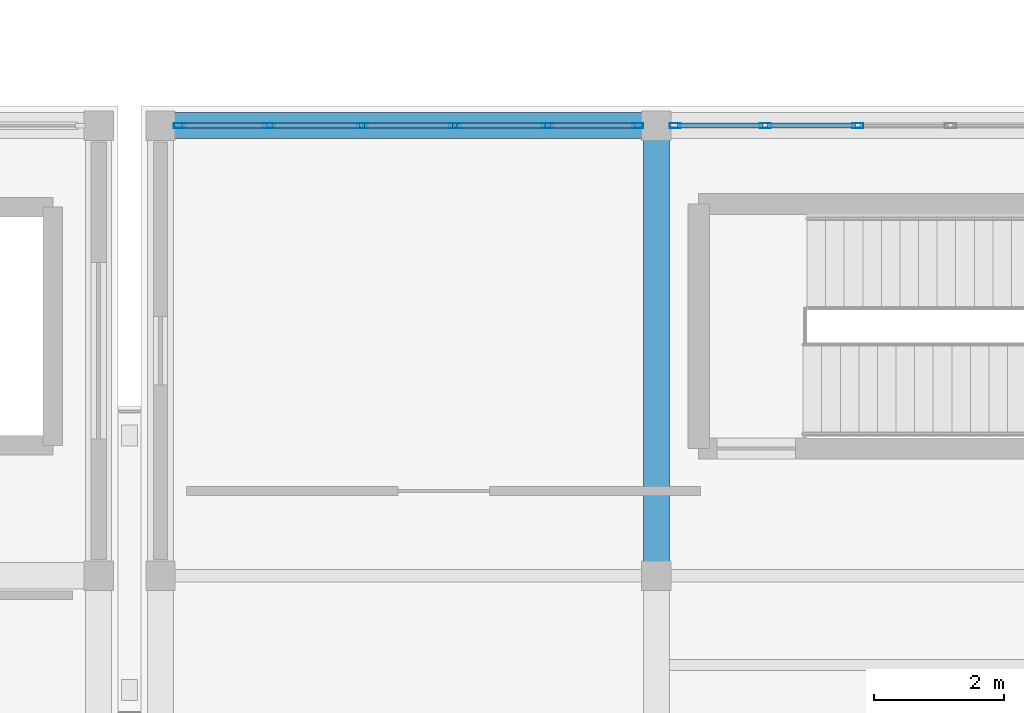
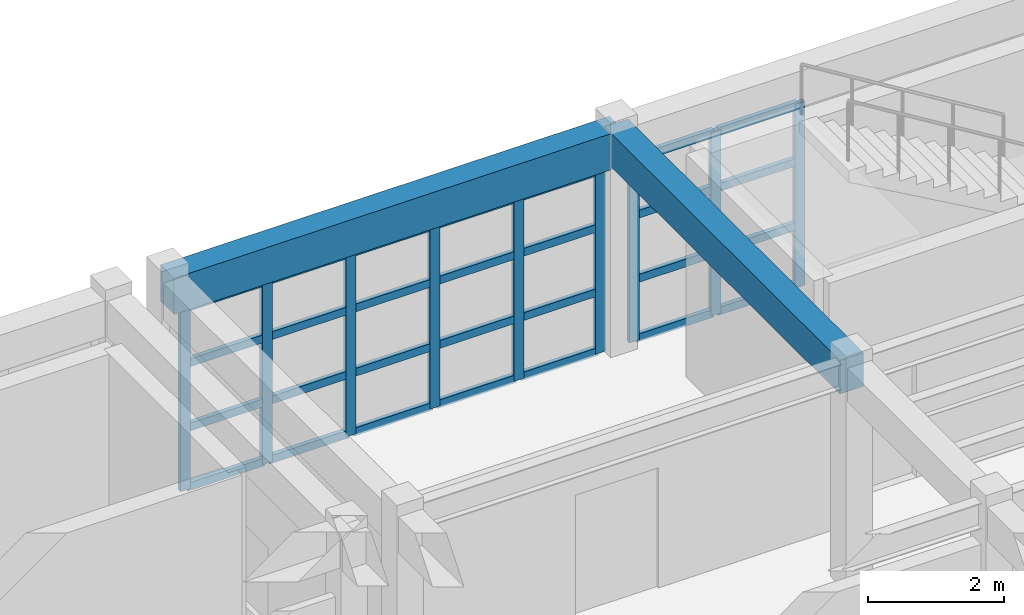
# One storey, part 9 of 66: 37 members, 2 beams, 2 elements without a shape of their own.
"""IFC4 building model written with IfcOpenShell, lengths in metres."""

from ifc_helpers import new_model, si_unit, direction, frame, origin, origin_2d, place, context, subcontext, project, spatial, rectangle, hollow_rectangle, extrude, material, layer, layer_set, material_profile, profile_set, type_object, element, aggregate, save


model = new_model("IFC4")

# Units and contexts
model_context = context("Model", 3, precision=1e-05, world=origin(), true_north=direction((0.0, 1.0)))
body_context = subcontext(model_context, "Body", "Model", "MODEL_VIEW")
ifc_project = project(units=[si_unit("LENGTHUNIT", "METRE"), si_unit("AREAUNIT", "SQUARE_METRE"), si_unit("VOLUMEUNIT", "CUBIC_METRE"), si_unit("PLANEANGLEUNIT", "RADIAN"), si_unit("MASSUNIT", "GRAM", prefix="KILO")], contexts=[model_context])

# Site, building, storey
site_placement = place(None, origin())
site = spatial("IfcSite", under=ifc_project, at=site_placement, CompositionType="ELEMENT")
building_placement = place(site_placement, origin())
building = spatial("IfcBuilding", under=site, at=building_placement, Name="Candilejo Ridge Gondola Terminal", CompositionType="ELEMENT")
storey_placement = place(building_placement, frame((0.0, 0.0, 14.39990234375)))
storey = spatial("IfcBuildingStorey", under=building, at=storey_placement, Name="L03", CompositionType="ELEMENT", Elevation=14.39990234375)

# Curtain wall, members
ifc_material_1 = material(Name="Anodised aluminium AA 6063-T6", Category="aluminium")
ifc_layer = layer(ifc_material_1, 0.169921875)
ifc_layer_set = layer_set([ifc_layer], Name="ARC-CW-GALLERY-3200-710X329")
curtain_wall_type = type_object("IfcCurtainWallType", Name="ARC-CW-GALLERY-3200-710X329", PredefinedType="NOTDEFINED", material=ifc_layer_set)
curtain_wall_1_placement = place(storey_placement, origin())
curtain_wall_1 = element("IfcCurtainWall", 1, at=curtain_wall_1_placement, inside=storey, type_object=curtain_wall_type, Name="Curtain wall V3 L03-094", PredefinedType="NOTDEFINED")
ifc_material_2 = material(Name="Anodised aluminium AA 6063-T6", Category="aluminium")
ifc_material_profile_1 = material_profile(ifc_material_2, hollow_rectangle(XDim=0.074951171875, YDim=0.169921875, WallThickness=0.00390625, at=origin_2d()))
ifc_profile_set_1 = profile_set([ifc_material_profile_1], Name="Anodised aluminium AA 6063-T6")
member_type_1 = type_object("IfcMemberType", Name="ARC-CW-MULLION", PredefinedType="MULLION", material=ifc_profile_set_1)
member_1_placement = place(storey_placement, frame((87.28759765625, 36.699951171875, 0.0), z_axis=(0.0, 0.0, 1.0), x_axis=(0.0, 1.0, 0.0)))
member_1 = element("IfcMember", 2, at=member_1_placement, type_object=member_type_1, Name="CW-71X32 mullion 1", PredefinedType="MULLION", context=body_context, shape_type="SweptSolid", body=[
    extrude(hollow_rectangle(XDim=0.074951171875, YDim=0.169921875, WallThickness=0.00390625, at=origin_2d()), origin(), (0.0, 0.0, 1.0), 3.2900390625),
])
member_2_placement = place(storey_placement, frame((88.669921875, 36.699951171875, 0.0), z_axis=(0.0, 0.0, 1.0), x_axis=(0.0, 1.0, 0.0)))
member_2 = element("IfcMember", 3, at=member_2_placement, type_object=member_type_1, Name="CW-71X32 mullion 2", PredefinedType="MULLION", context=body_context, shape_type="SweptSolid", body=[
    extrude(hollow_rectangle(XDim=0.074951171875, YDim=0.169921875, WallThickness=0.00390625, at=origin_2d()), origin(), (0.0, 0.0, 1.0), 3.2900390625),
])
member_3_placement = place(storey_placement, frame((90.090087890625, 36.699951171875, 0.0), z_axis=(0.0, 0.0, 1.0), x_axis=(0.0, 1.0, 0.0)))
member_3 = element("IfcMember", 4, at=member_3_placement, type_object=member_type_1, Name="CW-71X32 mullion 3", PredefinedType="MULLION", context=body_context, shape_type="SweptSolid", body=[
    extrude(hollow_rectangle(XDim=0.074951171875, YDim=0.169921875, WallThickness=0.00390625, at=origin_2d()), origin(), (0.0, 0.0, 1.0), 3.2900390625),
])
member_4_placement = place(storey_placement, frame((91.510009765625, 36.699951171875, 0.0), z_axis=(0.0, 0.0, 1.0), x_axis=(0.0, 1.0, 0.0)))
member_4 = element("IfcMember", 5, at=member_4_placement, type_object=member_type_1, Name="CW-71X32 mullion 4", PredefinedType="MULLION", context=body_context, shape_type="SweptSolid", body=[
    extrude(hollow_rectangle(XDim=0.074951171875, YDim=0.169921875, WallThickness=0.00390625, at=origin_2d()), origin(), (0.0, 0.0, 1.0), 3.2900390625),
])
member_5_placement = place(storey_placement, frame((92.929931640625, 36.699951171875, 0.0), z_axis=(0.0, 0.0, 1.0), x_axis=(0.0, 1.0, 0.0)))
member_5 = element("IfcMember", 6, at=member_5_placement, type_object=member_type_1, Name="CW-71X32 mullion 5", PredefinedType="MULLION", context=body_context, shape_type="SweptSolid", body=[
    extrude(hollow_rectangle(XDim=0.074951171875, YDim=0.169921875, WallThickness=0.00390625, at=origin_2d()), origin(), (0.0, 0.0, 1.0), 3.2900390625),
])
member_6_placement = place(storey_placement, frame((94.3125, 36.699951171875, 0.0), z_axis=(0.0, 0.0, 1.0), x_axis=(0.0, 1.0, 0.0)))
member_6 = element("IfcMember", 7, at=member_6_placement, type_object=member_type_1, Name="CW-71X32 mullion 6", PredefinedType="MULLION", context=body_context, shape_type="SweptSolid", body=[
    extrude(hollow_rectangle(XDim=0.074951171875, YDim=0.169921875, WallThickness=0.00390625, at=origin_2d()), origin(), (0.0, 0.0, 1.0), 3.2900390625),
])

curtain_wall_2_placement = place(storey_placement, origin())
curtain_wall_2 = element("IfcCurtainWall", 8, at=curtain_wall_2_placement, inside=storey, type_object=curtain_wall_type, Name="Curtain wall V3 L03-095", PredefinedType="NOTDEFINED")
member_7_placement = place(storey_placement, frame((94.887451171875, 36.699951171875, 0.0), z_axis=(0.0, 0.0, 1.0), x_axis=(0.0, 1.0, 0.0)))
member_7 = element("IfcMember", 9, at=member_7_placement, type_object=member_type_1, Name="CW-71X32 mullion 1", PredefinedType="MULLION", context=body_context, shape_type="SweptSolid", body=[
    extrude(hollow_rectangle(XDim=0.074951171875, YDim=0.169921875, WallThickness=0.00390625, at=origin_2d()), origin(), (0.0, 0.0, 1.0), 3.2900390625),
])
member_8_placement = place(storey_placement, frame((96.27001953125, 36.699951171875, 0.0), z_axis=(0.0, 0.0, 1.0), x_axis=(0.0, 1.0, 0.0)))
member_8 = element("IfcMember", 10, at=member_8_placement, type_object=member_type_1, Name="CW-71X32 mullion 2", PredefinedType="MULLION", context=body_context, shape_type="SweptSolid", body=[
    extrude(hollow_rectangle(XDim=0.074951171875, YDim=0.169921875, WallThickness=0.00390625, at=origin_2d()), origin(), (0.0, 0.0, 1.0), 3.2900390625),
])
member_9_placement = place(storey_placement, frame((97.68994140625, 36.699951171875, 0.0), z_axis=(0.0, 0.0, 1.0), x_axis=(0.0, 1.0, 0.0)))
member_9 = element("IfcMember", 11, at=member_9_placement, type_object=member_type_1, Name="CW-71X32 mullion 3", PredefinedType="MULLION", context=body_context, shape_type="SweptSolid", body=[
    extrude(hollow_rectangle(XDim=0.074951171875, YDim=0.169921875, WallThickness=0.00390625, at=origin_2d()), origin(), (0.0, 0.0, 1.0), 3.2900390625),
])

# Member
ifc_material_3 = material(Name="Anodised aluminium AA 6063-T6", Category="aluminium")
ifc_material_profile_2 = material_profile(ifc_material_3, hollow_rectangle(XDim=0.074951171875, YDim=0.139892578125, WallThickness=0.00390625, at=origin_2d()))
ifc_profile_set_2 = profile_set([ifc_material_profile_2], Name="Anodised aluminium AA 6063-T6")
member_type_2 = type_object("IfcMemberType", Name="ARC-CW-TRANSOM", PredefinedType="USERDEFINED", material=ifc_profile_set_2)
member_10_placement = place(storey_placement, frame((87.324951171875, 36.699951171875, 0.03759765625), z_axis=(1.0, 0.0, 0.0), x_axis=(0.0, 1.0, 0.0)))
member_10 = element("IfcMember", 12, at=member_10_placement, type_object=member_type_2, Name="CW-71X32 transom 1.1", ObjectType="TRANSOM", PredefinedType="USERDEFINED", context=body_context, shape_type="SweptSolid", body=[
    extrude(hollow_rectangle(XDim=0.074951171875, YDim=0.139892578125, WallThickness=0.00390625, at=origin_2d()), origin(), (0.0, 0.0, 1.0), 1.3076171875),
])

member_11_placement = place(storey_placement, frame((87.324951171875, 36.699951171875, 1.10009765625), z_axis=(1.0, 0.0, 0.0), x_axis=(0.0, 1.0, 0.0)))
member_11 = element("IfcMember", 13, at=member_11_placement, type_object=member_type_2, Name="CW-71X32 transom 1.2", ObjectType="TRANSOM", PredefinedType="USERDEFINED", context=body_context, shape_type="SweptSolid", body=[
    extrude(hollow_rectangle(XDim=0.074951171875, YDim=0.139892578125, WallThickness=0.00390625, at=origin_2d()), origin(), (0.0, 0.0, 1.0), 1.3076171875),
])

member_12_placement = place(storey_placement, frame((87.324951171875, 36.699951171875, 2.25), z_axis=(1.0, 0.0, 0.0), x_axis=(0.0, 1.0, 0.0)))
member_12 = element("IfcMember", 14, at=member_12_placement, type_object=member_type_2, Name="CW-71X32 transom 1.3", ObjectType="TRANSOM", PredefinedType="USERDEFINED", context=body_context, shape_type="SweptSolid", body=[
    extrude(hollow_rectangle(XDim=0.074951171875, YDim=0.139892578125, WallThickness=0.00390625, at=origin_2d()), origin(), (0.0, 0.0, 1.0), 1.3076171875),
])

member_13_placement = place(storey_placement, frame((87.324951171875, 36.699951171875, 3.252685546875), z_axis=(1.0, 0.0, 0.0), x_axis=(0.0, 1.0, 0.0)))
member_13 = element("IfcMember", 15, at=member_13_placement, type_object=member_type_2, Name="CW-71X32 transom 1.4", ObjectType="TRANSOM", PredefinedType="USERDEFINED", context=body_context, shape_type="SweptSolid", body=[
    extrude(hollow_rectangle(XDim=0.074951171875, YDim=0.139892578125, WallThickness=0.00390625, at=origin_2d()), origin(), (0.0, 0.0, 1.0), 1.3076171875),
])

member_14_placement = place(storey_placement, frame((88.70751953125, 36.699951171875, 0.03759765625), z_axis=(1.0, 0.0, 0.0), x_axis=(0.0, 1.0, 0.0)))
member_14 = element("IfcMember", 16, at=member_14_placement, type_object=member_type_2, Name="CW-71X32 transom 2.1", ObjectType="TRANSOM", PredefinedType="USERDEFINED", context=body_context, shape_type="SweptSolid", body=[
    extrude(hollow_rectangle(XDim=0.074951171875, YDim=0.139892578125, WallThickness=0.00390625, at=origin_2d()), origin(), (0.0, 0.0, 1.0), 1.344970703125),
])

member_15_placement = place(storey_placement, frame((88.70751953125, 36.699951171875, 1.10009765625), z_axis=(1.0, 0.0, 0.0), x_axis=(0.0, 1.0, 0.0)))
member_15 = element("IfcMember", 17, at=member_15_placement, type_object=member_type_2, Name="CW-71X32 transom 2.2", ObjectType="TRANSOM", PredefinedType="USERDEFINED", context=body_context, shape_type="SweptSolid", body=[
    extrude(hollow_rectangle(XDim=0.074951171875, YDim=0.139892578125, WallThickness=0.00390625, at=origin_2d()), origin(), (0.0, 0.0, 1.0), 1.344970703125),
])

member_16_placement = place(storey_placement, frame((88.70751953125, 36.699951171875, 2.25), z_axis=(1.0, 0.0, 0.0), x_axis=(0.0, 1.0, 0.0)))
member_16 = element("IfcMember", 18, at=member_16_placement, type_object=member_type_2, Name="CW-71X32 transom 2.3", ObjectType="TRANSOM", PredefinedType="USERDEFINED", context=body_context, shape_type="SweptSolid", body=[
    extrude(hollow_rectangle(XDim=0.074951171875, YDim=0.139892578125, WallThickness=0.00390625, at=origin_2d()), origin(), (0.0, 0.0, 1.0), 1.344970703125),
])

member_17_placement = place(storey_placement, frame((88.70751953125, 36.699951171875, 3.252685546875), z_axis=(1.0, 0.0, 0.0), x_axis=(0.0, 1.0, 0.0)))
member_17 = element("IfcMember", 19, at=member_17_placement, type_object=member_type_2, Name="CW-71X32 transom 2.4", ObjectType="TRANSOM", PredefinedType="USERDEFINED", context=body_context, shape_type="SweptSolid", body=[
    extrude(hollow_rectangle(XDim=0.074951171875, YDim=0.139892578125, WallThickness=0.00390625, at=origin_2d()), origin(), (0.0, 0.0, 1.0), 1.344970703125),
])

member_18_placement = place(storey_placement, frame((90.12744140625, 36.699951171875, 0.03759765625), z_axis=(1.0, 0.0, 0.0), x_axis=(0.0, 1.0, 0.0)))
member_18 = element("IfcMember", 20, at=member_18_placement, type_object=member_type_2, Name="CW-71X32 transom 3.1", ObjectType="TRANSOM", PredefinedType="USERDEFINED", context=body_context, shape_type="SweptSolid", body=[
    extrude(hollow_rectangle(XDim=0.074951171875, YDim=0.139892578125, WallThickness=0.00390625, at=origin_2d()), origin(), (0.0, 0.0, 1.0), 1.344970703125),
])

member_19_placement = place(storey_placement, frame((90.12744140625, 36.699951171875, 1.10009765625), z_axis=(1.0, 0.0, 0.0), x_axis=(0.0, 1.0, 0.0)))
member_19 = element("IfcMember", 21, at=member_19_placement, type_object=member_type_2, Name="CW-71X32 transom 3.2", ObjectType="TRANSOM", PredefinedType="USERDEFINED", context=body_context, shape_type="SweptSolid", body=[
    extrude(hollow_rectangle(XDim=0.074951171875, YDim=0.139892578125, WallThickness=0.00390625, at=origin_2d()), origin(), (0.0, 0.0, 1.0), 1.344970703125),
])

member_20_placement = place(storey_placement, frame((90.12744140625, 36.699951171875, 2.25), z_axis=(1.0, 0.0, 0.0), x_axis=(0.0, 1.0, 0.0)))
member_20 = element("IfcMember", 22, at=member_20_placement, type_object=member_type_2, Name="CW-71X32 transom 3.3", ObjectType="TRANSOM", PredefinedType="USERDEFINED", context=body_context, shape_type="SweptSolid", body=[
    extrude(hollow_rectangle(XDim=0.074951171875, YDim=0.139892578125, WallThickness=0.00390625, at=origin_2d()), origin(), (0.0, 0.0, 1.0), 1.344970703125),
])

member_21_placement = place(storey_placement, frame((90.12744140625, 36.699951171875, 3.252685546875), z_axis=(1.0, 0.0, 0.0), x_axis=(0.0, 1.0, 0.0)))
member_21 = element("IfcMember", 23, at=member_21_placement, type_object=member_type_2, Name="CW-71X32 transom 3.4", ObjectType="TRANSOM", PredefinedType="USERDEFINED", context=body_context, shape_type="SweptSolid", body=[
    extrude(hollow_rectangle(XDim=0.074951171875, YDim=0.139892578125, WallThickness=0.00390625, at=origin_2d()), origin(), (0.0, 0.0, 1.0), 1.344970703125),
])

member_22_placement = place(storey_placement, frame((91.547607421875, 36.699951171875, 0.03759765625), z_axis=(1.0, 0.0, 0.0), x_axis=(0.0, 1.0, 0.0)))
member_22 = element("IfcMember", 24, at=member_22_placement, type_object=member_type_2, Name="CW-71X32 transom 4.1", ObjectType="TRANSOM", PredefinedType="USERDEFINED", context=body_context, shape_type="SweptSolid", body=[
    extrude(hollow_rectangle(XDim=0.074951171875, YDim=0.139892578125, WallThickness=0.00390625, at=origin_2d()), origin(), (0.0, 0.0, 1.0), 1.344970703125),
])

member_23_placement = place(storey_placement, frame((91.547607421875, 36.699951171875, 1.10009765625), z_axis=(1.0, 0.0, 0.0), x_axis=(0.0, 1.0, 0.0)))
member_23 = element("IfcMember", 25, at=member_23_placement, type_object=member_type_2, Name="CW-71X32 transom 4.2", ObjectType="TRANSOM", PredefinedType="USERDEFINED", context=body_context, shape_type="SweptSolid", body=[
    extrude(hollow_rectangle(XDim=0.074951171875, YDim=0.139892578125, WallThickness=0.00390625, at=origin_2d()), origin(), (0.0, 0.0, 1.0), 1.344970703125),
])

member_24_placement = place(storey_placement, frame((91.547607421875, 36.699951171875, 2.25), z_axis=(1.0, 0.0, 0.0), x_axis=(0.0, 1.0, 0.0)))
member_24 = element("IfcMember", 26, at=member_24_placement, type_object=member_type_2, Name="CW-71X32 transom 4.3", ObjectType="TRANSOM", PredefinedType="USERDEFINED", context=body_context, shape_type="SweptSolid", body=[
    extrude(hollow_rectangle(XDim=0.074951171875, YDim=0.139892578125, WallThickness=0.00390625, at=origin_2d()), origin(), (0.0, 0.0, 1.0), 1.344970703125),
])

member_25_placement = place(storey_placement, frame((91.547607421875, 36.699951171875, 3.252685546875), z_axis=(1.0, 0.0, 0.0), x_axis=(0.0, 1.0, 0.0)))
member_25 = element("IfcMember", 27, at=member_25_placement, type_object=member_type_2, Name="CW-71X32 transom 4.4", ObjectType="TRANSOM", PredefinedType="USERDEFINED", context=body_context, shape_type="SweptSolid", body=[
    extrude(hollow_rectangle(XDim=0.074951171875, YDim=0.139892578125, WallThickness=0.00390625, at=origin_2d()), origin(), (0.0, 0.0, 1.0), 1.344970703125),
])

member_26_placement = place(storey_placement, frame((92.967529296875, 36.699951171875, 0.03759765625), z_axis=(1.0, 0.0, 0.0), x_axis=(0.0, 1.0, 0.0)))
member_26 = element("IfcMember", 28, at=member_26_placement, type_object=member_type_2, Name="CW-71X32 transom 5.1", ObjectType="TRANSOM", PredefinedType="USERDEFINED", context=body_context, shape_type="SweptSolid", body=[
    extrude(hollow_rectangle(XDim=0.074951171875, YDim=0.139892578125, WallThickness=0.00390625, at=origin_2d()), origin(), (0.0, 0.0, 1.0), 1.307373046875),
])

member_27_placement = place(storey_placement, frame((92.967529296875, 36.699951171875, 1.10009765625), z_axis=(1.0, 0.0, 0.0), x_axis=(0.0, 1.0, 0.0)))
member_27 = element("IfcMember", 29, at=member_27_placement, type_object=member_type_2, Name="CW-71X32 transom 5.2", ObjectType="TRANSOM", PredefinedType="USERDEFINED", context=body_context, shape_type="SweptSolid", body=[
    extrude(hollow_rectangle(XDim=0.074951171875, YDim=0.139892578125, WallThickness=0.00390625, at=origin_2d()), origin(), (0.0, 0.0, 1.0), 1.307373046875),
])

member_28_placement = place(storey_placement, frame((92.967529296875, 36.699951171875, 2.25), z_axis=(1.0, 0.0, 0.0), x_axis=(0.0, 1.0, 0.0)))
member_28 = element("IfcMember", 30, at=member_28_placement, type_object=member_type_2, Name="CW-71X32 transom 5.3", ObjectType="TRANSOM", PredefinedType="USERDEFINED", context=body_context, shape_type="SweptSolid", body=[
    extrude(hollow_rectangle(XDim=0.074951171875, YDim=0.139892578125, WallThickness=0.00390625, at=origin_2d()), origin(), (0.0, 0.0, 1.0), 1.307373046875),
])

member_29_placement = place(storey_placement, frame((92.967529296875, 36.699951171875, 3.252685546875), z_axis=(1.0, 0.0, 0.0), x_axis=(0.0, 1.0, 0.0)))
member_29 = element("IfcMember", 31, at=member_29_placement, type_object=member_type_2, Name="CW-71X32 transom 5.4", ObjectType="TRANSOM", PredefinedType="USERDEFINED", context=body_context, shape_type="SweptSolid", body=[
    extrude(hollow_rectangle(XDim=0.074951171875, YDim=0.139892578125, WallThickness=0.00390625, at=origin_2d()), origin(), (0.0, 0.0, 1.0), 1.307373046875),
])

aggregate(curtain_wall_1, [member_1, member_2, member_3, member_4, member_5, member_6, member_10, member_11, member_12, member_13, member_14, member_15, member_16, member_17, member_18, member_19, member_20, member_21, member_22, member_23, member_24, member_25, member_26, member_27, member_28, member_29])

member_30_placement = place(storey_placement, frame((94.925048828125, 36.699951171875, 0.03759765625), z_axis=(1.0, 0.0, 0.0), x_axis=(0.0, 1.0, 0.0)))
member_30 = element("IfcMember", 32, at=member_30_placement, type_object=member_type_2, Name="CW-71X32 transom 1.1", ObjectType="TRANSOM", PredefinedType="USERDEFINED", context=body_context, shape_type="SweptSolid", body=[
    extrude(hollow_rectangle(XDim=0.074951171875, YDim=0.139892578125, WallThickness=0.00390625, at=origin_2d()), origin(), (0.0, 0.0, 1.0), 1.307373046875),
])

member_31_placement = place(storey_placement, frame((94.925048828125, 36.699951171875, 1.10009765625), z_axis=(1.0, 0.0, 0.0), x_axis=(0.0, 1.0, 0.0)))
member_31 = element("IfcMember", 33, at=member_31_placement, type_object=member_type_2, Name="CW-71X32 transom 1.2", ObjectType="TRANSOM", PredefinedType="USERDEFINED", context=body_context, shape_type="SweptSolid", body=[
    extrude(hollow_rectangle(XDim=0.074951171875, YDim=0.139892578125, WallThickness=0.00390625, at=origin_2d()), origin(), (0.0, 0.0, 1.0), 1.307373046875),
])

member_32_placement = place(storey_placement, frame((94.925048828125, 36.699951171875, 2.25), z_axis=(1.0, 0.0, 0.0), x_axis=(0.0, 1.0, 0.0)))
member_32 = element("IfcMember", 34, at=member_32_placement, type_object=member_type_2, Name="CW-71X32 transom 1.3", ObjectType="TRANSOM", PredefinedType="USERDEFINED", context=body_context, shape_type="SweptSolid", body=[
    extrude(hollow_rectangle(XDim=0.074951171875, YDim=0.139892578125, WallThickness=0.00390625, at=origin_2d()), origin(), (0.0, 0.0, 1.0), 1.307373046875),
])

member_33_placement = place(storey_placement, frame((94.925048828125, 36.699951171875, 3.252685546875), z_axis=(1.0, 0.0, 0.0), x_axis=(0.0, 1.0, 0.0)))
member_33 = element("IfcMember", 35, at=member_33_placement, type_object=member_type_2, Name="CW-71X32 transom 1.4", ObjectType="TRANSOM", PredefinedType="USERDEFINED", context=body_context, shape_type="SweptSolid", body=[
    extrude(hollow_rectangle(XDim=0.074951171875, YDim=0.139892578125, WallThickness=0.00390625, at=origin_2d()), origin(), (0.0, 0.0, 1.0), 1.307373046875),
])

member_34_placement = place(storey_placement, frame((96.3076171875, 36.699951171875, 0.03759765625), z_axis=(1.0, 0.0, 0.0), x_axis=(0.0, 1.0, 0.0)))
member_34 = element("IfcMember", 36, at=member_34_placement, type_object=member_type_2, Name="CW-71X32 transom 2.1", ObjectType="TRANSOM", PredefinedType="USERDEFINED", context=body_context, shape_type="SweptSolid", body=[
    extrude(hollow_rectangle(XDim=0.074951171875, YDim=0.139892578125, WallThickness=0.00390625, at=origin_2d()), origin(), (0.0, 0.0, 1.0), 1.344970703125),
])

member_35_placement = place(storey_placement, frame((96.3076171875, 36.699951171875, 1.10009765625), z_axis=(1.0, 0.0, 0.0), x_axis=(0.0, 1.0, 0.0)))
member_35 = element("IfcMember", 37, at=member_35_placement, type_object=member_type_2, Name="CW-71X32 transom 2.2", ObjectType="TRANSOM", PredefinedType="USERDEFINED", context=body_context, shape_type="SweptSolid", body=[
    extrude(hollow_rectangle(XDim=0.074951171875, YDim=0.139892578125, WallThickness=0.00390625, at=origin_2d()), origin(), (0.0, 0.0, 1.0), 1.344970703125),
])

member_36_placement = place(storey_placement, frame((96.3076171875, 36.699951171875, 2.25), z_axis=(1.0, 0.0, 0.0), x_axis=(0.0, 1.0, 0.0)))
member_36 = element("IfcMember", 38, at=member_36_placement, type_object=member_type_2, Name="CW-71X32 transom 2.3", ObjectType="TRANSOM", PredefinedType="USERDEFINED", context=body_context, shape_type="SweptSolid", body=[
    extrude(hollow_rectangle(XDim=0.074951171875, YDim=0.139892578125, WallThickness=0.00390625, at=origin_2d()), origin(), (0.0, 0.0, 1.0), 1.344970703125),
])

member_37_placement = place(storey_placement, frame((96.3076171875, 36.699951171875, 3.252685546875), z_axis=(1.0, 0.0, 0.0), x_axis=(0.0, 1.0, 0.0)))
member_37 = element("IfcMember", 39, at=member_37_placement, type_object=member_type_2, Name="CW-71X32 transom 2.4", ObjectType="TRANSOM", PredefinedType="USERDEFINED", context=body_context, shape_type="SweptSolid", body=[
    extrude(hollow_rectangle(XDim=0.074951171875, YDim=0.139892578125, WallThickness=0.00390625, at=origin_2d()), origin(), (0.0, 0.0, 1.0), 1.344970703125),
])

aggregate(curtain_wall_2, [member_7, member_8, member_9, member_30, member_31, member_32, member_33, member_34, member_35, member_36, member_37])

# Beams
ifc_material_4 = material(Name="Concrete f'c 35 MPa (C35/45)", Category="concrete")
ifc_material_profile_3 = material_profile(ifc_material_4, rectangle(XDim=0.39990234375, YDim=0.60009765625, at=origin_2d()))
ifc_profile_set_3 = profile_set([ifc_material_profile_3], Name="Concrete f'c 35 MPa (C35/45)")
beam_type_1 = type_object("IfcBeamType", Name="STR-BM-RC400X600", PredefinedType="BEAM", material=ifc_profile_set_3)
beam_1_placement = place(storey_placement, frame((94.60009765625, 29.800048828125, 3.690185546875), z_axis=(0.0, 1.0, 0.0), x_axis=(-1.0, 0.0, 0.0)))
element("IfcBeam", 40, at=beam_1_placement, inside=storey, type_object=beam_type_1, Name="Beam Y V3 L03 Y06-Y07@X15", PredefinedType="BEAM", context=body_context, shape_type="SweptSolid", body=[
    extrude(rectangle(XDim=0.39990234375, YDim=0.60009765625, at=origin_2d()), origin(), (0.0, 0.0, 1.0), 6.89990234375),
])
ifc_material_5 = material(Name="Concrete f'c 35 MPa (C35/45)", Category="concrete")
ifc_material_profile_4 = material_profile(ifc_material_5, rectangle(XDim=0.39990234375, YDim=0.64990234375, at=origin_2d()))
ifc_profile_set_4 = profile_set([ifc_material_profile_4], Name="Concrete f'c 35 MPa (C35/45)")
beam_type_2 = type_object("IfcBeamType", Name="STR-SPN-RC400X650", PredefinedType="SPANDREL", material=ifc_profile_set_4)
beam_2_placement = place(storey_placement, frame((87.0, 36.699951171875, 3.6650390625), z_axis=(1.0, 0.0, 0.0), x_axis=(0.0, 1.0, 0.0)))
element("IfcBeam", 41, at=beam_2_placement, inside=storey, type_object=beam_type_2, Name="Beam X V3 L03 X14-X15@Y07", PredefinedType="SPANDREL", context=body_context, shape_type="SweptSolid", body=[
    extrude(rectangle(XDim=0.39990234375, YDim=0.64990234375, at=origin_2d()), origin(), (0.0, 0.0, 1.0), 7.60009765625),
])

save(model, "model.ifc")
